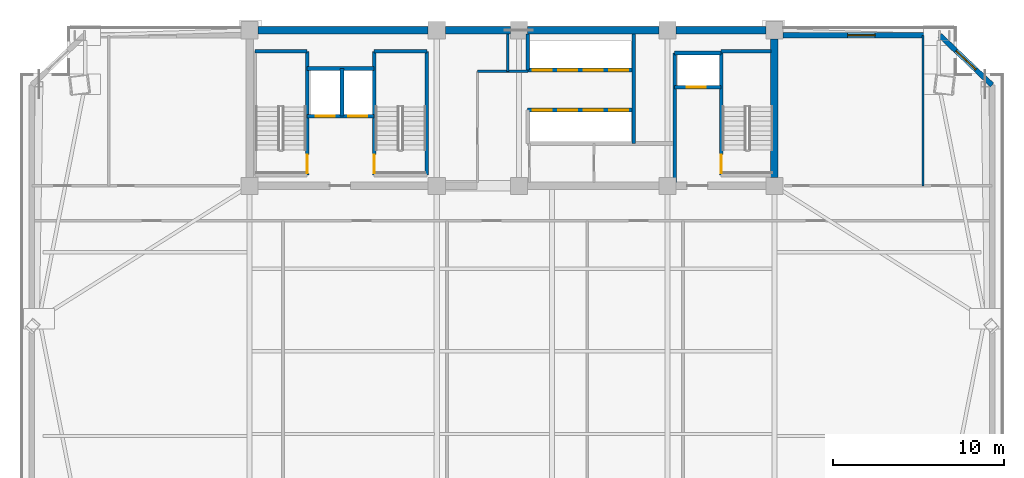
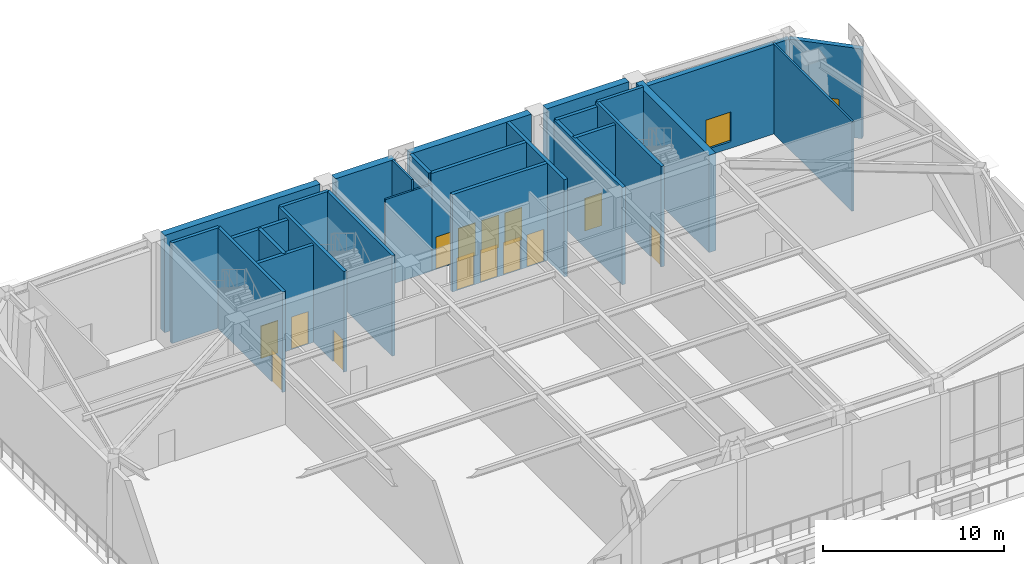
# One storey, part 10 of 16: 27 walls, 14 doors, 2 windows, 16 openings.
"""IFC4 building model written with IfcOpenShell, lengths in metres."""

from ifc_helpers import new_model, si_unit, direction, frame, frame_2d, origin, place, context, subcontext, project, spatial, rectangle, extrude, source, transform, mapped, material, layer, layer_set, type_object, element, fill, save


model = new_model("IFC4")

# Units and contexts
model_context = context("Model", 3, precision=1e-05, world=origin(), true_north=direction((0.0, 1.0)))
body_context = subcontext(model_context, "Body", "Model", "MODEL_VIEW")
ifc_project = project(units=[si_unit("LENGTHUNIT", "METRE"), si_unit("AREAUNIT", "SQUARE_METRE"), si_unit("VOLUMEUNIT", "CUBIC_METRE"), si_unit("PLANEANGLEUNIT", "RADIAN"), si_unit("MASSUNIT", "GRAM", prefix="KILO")], contexts=[model_context])

# Site, building, storey
site_placement = place(None, origin())
site = spatial("IfcSite", under=ifc_project, at=site_placement, CompositionType="ELEMENT")
building_placement = place(site_placement, origin())
building = spatial("IfcBuilding", under=site, at=building_placement, Name="Giltprow Tower", CompositionType="ELEMENT")
storey_placement = place(building_placement, frame((0.0, 0.0, 220.199951171875)))
storey = spatial("IfcBuildingStorey", under=building, at=storey_placement, Name="L56", CompositionType="ELEMENT", Elevation=220.199951171875)

# Wall, opening, window
ifc_material_1 = material(Name="Precast concrete C40", Category="concrete")
ifc_layer_1 = layer(ifc_material_1, 0.300048828125, Name="Precast concrete C40")
ifc_layer_set_1 = layer_set([ifc_layer_1], Name="Precast concrete C40")
wall_type_1 = type_object("IfcWallType", Name="EW-NOTCH-CHAMFER-300", PredefinedType="SOLIDWALL", material=ifc_layer_set_1)
wall_1_placement = place(storey_placement, frame((63.281982421875, 43.345947265625, 0.0), z_axis=(0.0, 0.0, 1.0), x_axis=(-0.724668126372, 0.689098038468, 0.0)))
wall_1 = element("IfcWall", 1, at=wall_1_placement, inside=storey, type_object=wall_type_1, Name="L56 Corner Notch Wall NE", PredefinedType="SOLIDWALL", context=body_context, shape_type="SweptSolid", body=[
    extrude(rectangle(XDim=4.21435546875, YDim=0.300048828125, at=frame_2d((2.107177734375, 0.0))), origin(), (0.0, 0.0, 1.0), 6.06494140625),
])
opening_1_placement = place(wall_1_placement, frame((1.306884765625, 0.0, 0.449951171875)))
opening_1 = element("IfcOpeningElement", 2, at=opening_1_placement, cuts=wall_1, Name="Opening WN17", PredefinedType="OPENING", context=body_context, shape_type="SweptSolid", body=[
    extrude(rectangle(XDim=1.60009765625, YDim=2.0, at=frame_2d((0.800048828125, 1.0))), frame((0.0, 0.159912109375, 0.0), z_axis=(0.0, -1.0, 0.0), x_axis=(1.0, 0.0, 0.0)), (0.0, 0.0, 1.0), 0.320068359375),
])
ifc_material_2 = material(Name="Insulated glass", Category="glass")
window_type = type_object("IfcWindowType", Name="WN-COR-1600x2000", PartitioningType="SINGLE_PANEL", PredefinedType="WINDOW", material=ifc_material_2)
shared_shape_1 = source(origin(), body_context, "Body", "SweptSolid", [
    extrude(rectangle(XDim=1.60009765625, YDim=2.0, at=frame_2d((0.800048828125, 1.0))), frame((0.0, 0.030029296875, 0.0), z_axis=(0.0, -1.0, 0.0), x_axis=(1.0, 0.0, 0.0)), (0.0, 0.0, 1.0), 0.06005859375),
])
window_1_placement = place(opening_1_placement, origin())
window_1 = element("IfcWindow", 3, at=window_1_placement, inside=storey, type_object=window_type, Name="L56 Corner Notch Window NE", OverallHeight=2.0, OverallWidth=1.60009765625, PartitioningType="SINGLE_PANEL", PredefinedType="WINDOW", context=body_context, shape_type="MappedRepresentation", body=[
    mapped(shared_shape_1, transform((0.0, 0.0, 0.0), x_axis=(1.0, 0.0, 0.0), y_axis=(0.0, 1.0, 0.0), z_axis=(0.0, 0.0, 1.0), scale=1.0)),
])
fill(opening_1, window_1)

ifc_layer_2 = layer(ifc_material_1, 0.320068359375, Name="Precast concrete C40")
ifc_layer_set_2 = layer_set([ifc_layer_2], Name="Precast concrete C40")
wall_type_2 = type_object("IfcWallType", Name="EW-TOW-STONE-320", PredefinedType="SOLIDWALL", material=ifc_layer_set_2)
wall_2_placement = place(storey_placement, frame((51.050048828125, 46.25, 0.0), z_axis=(0.0, 0.0, 1.0), x_axis=(1.0, 0.0, 0.0)))
wall_2 = element("IfcWall", 4, at=wall_2_placement, inside=storey, type_object=wall_type_2, Name="L56 North-East Wing Wall", PredefinedType="SOLIDWALL", context=body_context, shape_type="SweptSolid", body=[
    extrude(rectangle(XDim=9.177978515625, YDim=0.320068359375, at=frame_2d((4.5888671875, 0.0))), origin(), (0.0, 0.0, 1.0), 6.06494140625),
])
opening_2_placement = place(wall_2_placement, frame((3.7890625, 0.0, 0.449951171875)))
opening_2 = element("IfcOpeningElement", 5, at=opening_2_placement, cuts=wall_2, Name="Opening WN17", PredefinedType="OPENING", context=body_context, shape_type="SweptSolid", body=[
    extrude(rectangle(XDim=1.60009765625, YDim=2.0, at=frame_2d((0.800048828125, 1.0))), frame((0.0, 0.169921875, 0.0), z_axis=(0.0, -1.0, 0.0), x_axis=(1.0, 0.0, 0.0)), (0.0, 0.0, 1.0), 0.340087890625),
])
window_2_placement = place(opening_2_placement, origin())
window_2 = element("IfcWindow", 6, at=window_2_placement, inside=storey, type_object=window_type, Name="L56 North-East Window", OverallHeight=2.0, OverallWidth=1.60009765625, PartitioningType="SINGLE_PANEL", PredefinedType="WINDOW", context=body_context, shape_type="MappedRepresentation", body=[
    mapped(shared_shape_1, transform((0.0, 0.0, 0.0), x_axis=(1.0, 0.0, 0.0), y_axis=(0.0, 1.0, 0.0), z_axis=(0.0, 0.0, 1.0), scale=1.0)),
])
fill(opening_2, window_2)

# Wall, openings, doors
ifc_material_3 = material(Name="Concrete C40", Category="concrete")
ifc_layer_3 = layer(ifc_material_3, 0.219970703125, Name="Concrete C40")
ifc_layer_set_3 = layer_set([ifc_layer_3], Name="Concrete C40")
wall_type_3 = type_object("IfcWallType", Name="IW-SHAFT-220", PredefinedType="SOLIDWALL", material=ifc_layer_set_3)
wall_3_placement = place(storey_placement, frame((23.219970703125, 41.52001953125, 0.0), z_axis=(0.0, 0.0, 1.0), x_axis=(1.0, 0.0, 0.0)))
wall_3 = element("IfcWall", 7, at=wall_3_placement, inside=storey, type_object=wall_type_3, Name="L56 FFL1 and Service Lift Front Wall", PredefinedType="SOLIDWALL", context=body_context, shape_type="SweptSolid", body=[
    extrude(rectangle(XDim=3.919921875, YDim=0.219970703125, at=frame_2d((1.9599609375, 0.0))), origin(), (0.0, 0.0, 1.0), 6.5849609375),
])
opening_3_placement = place(wall_3_placement, frame((0.5, 0.0, 0.0)))
opening_3 = element("IfcOpeningElement", 8, at=opening_3_placement, cuts=wall_3, Name="Opening LD-11", PredefinedType="OPENING", context=body_context, shape_type="SweptSolid", body=[
    extrude(rectangle(XDim=1.10009765625, YDim=2.199951171875, at=frame_2d((0.550048828125, 1.10009765625))), frame((0.0, 0.119873046875, 0.0), z_axis=(0.0, -1.0, 0.0), x_axis=(1.0, 0.0, 0.0)), (0.0, 0.0, 1.0), 0.239990234375),
])
opening_4_placement = place(wall_3_placement, frame((2.39990234375, 0.0, 0.0)))
opening_4 = element("IfcOpeningElement", 9, at=opening_4_placement, cuts=wall_3, Name="Opening LD-11", PredefinedType="OPENING", context=body_context, shape_type="SweptSolid", body=[
    extrude(rectangle(XDim=1.10009765625, YDim=2.199951171875, at=frame_2d((0.550048828125, 1.10009765625))), frame((0.0, 0.119873046875, 0.0), z_axis=(0.0, -1.0, 0.0), x_axis=(1.0, 0.0, 0.0)), (0.0, 0.0, 1.0), 0.239990234375),
])
ifc_material_4 = material(Name="Stainless steel", Category="steel")
door_type_1 = type_object("IfcDoorType", Name="DR-LIFT-LD1100", OperationType="SLIDING_TO_LEFT", PredefinedType="DOOR", material=ifc_material_4)
shared_shape_2 = source(origin(), body_context, "Body", "SweptSolid", [
    extrude(rectangle(XDim=1.10009765625, YDim=2.199951171875, at=frame_2d((0.550048828125, 1.10009765625))), frame((0.0, 0.02490234375, 0.0), z_axis=(0.0, -1.0, 0.0), x_axis=(1.0, 0.0, 0.0)), (0.0, 0.0, 1.0), 0.050048828125),
])
door_1_placement = place(opening_3_placement, origin())
door_1 = element("IfcDoor", 10, at=door_1_placement, inside=storey, type_object=door_type_1, Name="L56 FFL1 Landing Door", OperationType="SLIDING_TO_LEFT", OverallHeight=2.199951171875, OverallWidth=1.10009765625, PredefinedType="DOOR", context=body_context, shape_type="MappedRepresentation", body=[
    mapped(shared_shape_2, transform((0.0, 0.0, 0.0), x_axis=(1.0, 0.0, 0.0), y_axis=(0.0, 1.0, 0.0), z_axis=(0.0, 0.0, 1.0), scale=1.0)),
])
fill(opening_3, door_1)
door_2_placement = place(opening_4_placement, origin())
door_2 = element("IfcDoor", 11, at=door_2_placement, inside=storey, type_object=door_type_1, Name="L56 SVL1 Landing Door", OperationType="SLIDING_TO_LEFT", OverallHeight=2.199951171875, OverallWidth=1.10009765625, PredefinedType="DOOR", context=body_context, shape_type="MappedRepresentation", body=[
    mapped(shared_shape_2, transform((0.0, 0.0, 0.0), x_axis=(1.0, 0.0, 0.0), y_axis=(0.0, 1.0, 0.0), z_axis=(0.0, 0.0, 1.0), scale=1.0)),
])
fill(opening_4, door_2)

# Walls
wall_4_placement = place(storey_placement, frame((25.260009765625, 41.52001953125, 0.0), z_axis=(0.0, 0.0, 1.0), x_axis=(0.0, 1.0, 0.0)))
element("IfcWall", 12, at=wall_4_placement, inside=storey, type_object=wall_type_3, Name="L56 FFL1-SVL1 Shaft Divider", PredefinedType="SOLIDWALL", context=body_context, shape_type="SweptSolid", body=[
    extrude(rectangle(XDim=2.800048828125, YDim=0.219970703125, at=frame_2d((1.39990234375, 0.0))), origin(), (0.0, 0.0, 1.0), 6.5849609375),
])
wall_5_placement = place(storey_placement, frame((23.219970703125, 44.320068359375, 0.0), z_axis=(0.0, 0.0, 1.0), x_axis=(1.0, 0.0, 0.0)))
element("IfcWall", 13, at=wall_5_placement, inside=storey, type_object=wall_type_3, Name="L56 FFL1-SVL1 Back Shaft Wall", PredefinedType="SOLIDWALL", context=body_context, shape_type="SweptSolid", body=[
    extrude(rectangle(XDim=3.919921875, YDim=0.219970703125, at=frame_2d((1.9599609375, 0.0))), origin(), (0.0, 0.0, 1.0), 6.5849609375),
])

# Wall, opening, door
wall_6_placement = place(storey_placement, frame((44.719970703125, 43.219970703125, 0.0), z_axis=(0.0, 0.0, 1.0), x_axis=(1.0, 0.0, 0.0)))
wall_6 = element("IfcWall", 14, at=wall_6_placement, inside=storey, type_object=wall_type_3, Name="L56 FFL2 Front Shaft Wall", PredefinedType="SOLIDWALL", context=body_context, shape_type="SweptSolid", body=[
    extrude(rectangle(XDim=2.719970703125, YDim=0.219970703125, at=frame_2d((1.35986328125, 0.0))), origin(), (0.0, 0.0, 1.0), 6.5849609375),
])
opening_5_placement = place(wall_6_placement, frame((0.699951171875, 0.0, 0.0)))
opening_5 = element("IfcOpeningElement", 15, at=opening_5_placement, cuts=wall_6, Name="Opening LD-11", PredefinedType="OPENING", context=body_context, shape_type="SweptSolid", body=[
    extrude(rectangle(XDim=1.10009765625, YDim=2.199951171875, at=frame_2d((0.550048828125, 1.10009765625))), frame((0.0, 0.119873046875, 0.0), z_axis=(0.0, -1.0, 0.0), x_axis=(1.0, 0.0, 0.0)), (0.0, 0.0, 1.0), 0.239990234375),
])
door_3_placement = place(opening_5_placement, origin())
door_3 = element("IfcDoor", 16, at=door_3_placement, inside=storey, type_object=door_type_1, Name="L56 FFL2 Landing Door", OperationType="SLIDING_TO_LEFT", OverallHeight=2.199951171875, OverallWidth=1.10009765625, PredefinedType="DOOR", context=body_context, shape_type="MappedRepresentation", body=[
    mapped(shared_shape_2, transform((0.0, 0.0, 0.0), x_axis=(1.0, 0.0, 0.0), y_axis=(0.0, 1.0, 0.0), z_axis=(0.0, 0.0, 1.0), scale=1.0)),
])
fill(opening_5, door_3)

# Walls
wall_7_placement = place(storey_placement, frame((44.719970703125, 45.219970703125, 0.0), z_axis=(0.0, 0.0, 1.0), x_axis=(1.0, 0.0, 0.0)))
element("IfcWall", 17, at=wall_7_placement, inside=storey, type_object=wall_type_3, Name="L56 FFL2 Back Shaft Wall", PredefinedType="SOLIDWALL", context=body_context, shape_type="SweptSolid", body=[
    extrude(rectangle(XDim=2.719970703125, YDim=0.219970703125, at=frame_2d((1.35986328125, 0.0))), origin(), (0.0, 0.0, 1.0), 6.5849609375),
])
wall_8_placement = place(storey_placement, frame((44.719970703125, 37.655029296875, 0.0), z_axis=(0.0, 0.0, 1.0), x_axis=(0.0, 1.0, 0.0)))
element("IfcWall", 18, at=wall_8_placement, inside=storey, type_object=wall_type_3, Name="L56 East Firefighting Lobby West Wall", PredefinedType="SOLIDWALL", context=body_context, shape_type="SweptSolid", body=[
    extrude(rectangle(XDim=7.56494140625, YDim=0.219970703125, at=frame_2d((3.782470703125, 0.0))), origin(), (0.0, 0.0, 1.0), 6.5849609375),
])

# Wall, openings, doors
wall_9_placement = place(storey_placement, frame((36.1201171875, 44.219970703125, 0.0), z_axis=(0.0, 0.0, 1.0), x_axis=(1.0, 0.0, 0.0)))
wall_9 = element("IfcWall", 19, at=wall_9_placement, inside=storey, type_object=wall_type_3, Name="L56 Mid-Rise Lift Shaft Front Wall N", PredefinedType="SOLIDWALL", context=body_context, shape_type="SweptSolid", body=[
    extrude(rectangle(XDim=6.199951171875, YDim=0.219970703125, at=frame_2d((3.10009765625, 0.0))), origin(), (0.0, 0.0, 1.0), 6.5849609375),
])
opening_6_placement = place(wall_9_placement, frame((0.300048828125, 0.0, 0.0)))
opening_6 = element("IfcOpeningElement", 20, at=opening_6_placement, cuts=wall_9, Name="Opening LD-11", PredefinedType="OPENING", context=body_context, shape_type="SweptSolid", body=[
    extrude(rectangle(XDim=1.10009765625, YDim=2.199951171875, at=frame_2d((0.550048828125, 1.10009765625))), frame((0.0, 0.119873046875, 0.0), z_axis=(0.0, -1.0, 0.0), x_axis=(1.0, 0.0, 0.0)), (0.0, 0.0, 1.0), 0.239990234375),
])
opening_7_placement = place(wall_9_placement, frame((1.7900390625, 0.0, 0.0)))
opening_7 = element("IfcOpeningElement", 21, at=opening_7_placement, cuts=wall_9, Name="Opening LD-11", PredefinedType="OPENING", context=body_context, shape_type="SweptSolid", body=[
    extrude(rectangle(XDim=1.10009765625, YDim=2.199951171875, at=frame_2d((0.550048828125, 1.10009765625))), frame((0.0, 0.119873046875, 0.0), z_axis=(0.0, -1.0, 0.0), x_axis=(1.0, 0.0, 0.0)), (0.0, 0.0, 1.0), 0.239990234375),
])
opening_8_placement = place(wall_9_placement, frame((3.280029296875, 0.0, 0.0)))
opening_8 = element("IfcOpeningElement", 22, at=opening_8_placement, cuts=wall_9, Name="Opening LD-11", PredefinedType="OPENING", context=body_context, shape_type="SweptSolid", body=[
    extrude(rectangle(XDim=1.10009765625, YDim=2.199951171875, at=frame_2d((0.550048828125, 1.10009765625))), frame((0.0, 0.119873046875, 0.0), z_axis=(0.0, -1.0, 0.0), x_axis=(1.0, 0.0, 0.0)), (0.0, 0.0, 1.0), 0.239990234375),
])
opening_9_placement = place(wall_9_placement, frame((4.77001953125, 0.0, 0.0)))
opening_9 = element("IfcOpeningElement", 23, at=opening_9_placement, cuts=wall_9, Name="Opening LD-11", PredefinedType="OPENING", context=body_context, shape_type="SweptSolid", body=[
    extrude(rectangle(XDim=1.10009765625, YDim=2.199951171875, at=frame_2d((0.550048828125, 1.10009765625))), frame((0.0, 0.119873046875, 0.0), z_axis=(0.0, -1.0, 0.0), x_axis=(1.0, 0.0, 0.0)), (0.0, 0.0, 1.0), 0.239990234375),
])
door_4_placement = place(opening_6_placement, origin())
door_4 = element("IfcDoor", 24, at=door_4_placement, inside=storey, type_object=door_type_1, Name="L56 PL-H1 Landing Door", OperationType="SLIDING_TO_LEFT", OverallHeight=2.199951171875, OverallWidth=1.10009765625, PredefinedType="DOOR", context=body_context, shape_type="MappedRepresentation", body=[
    mapped(shared_shape_2, transform((0.0, 0.0, 0.0), x_axis=(1.0, 0.0, 0.0), y_axis=(0.0, 1.0, 0.0), z_axis=(0.0, 0.0, 1.0), scale=1.0)),
])
fill(opening_6, door_4)
door_5_placement = place(opening_7_placement, origin())
door_5 = element("IfcDoor", 25, at=door_5_placement, inside=storey, type_object=door_type_1, Name="L56 PL-H2 Landing Door", OperationType="SLIDING_TO_LEFT", OverallHeight=2.199951171875, OverallWidth=1.10009765625, PredefinedType="DOOR", context=body_context, shape_type="MappedRepresentation", body=[
    mapped(shared_shape_2, transform((0.0, 0.0, 0.0), x_axis=(1.0, 0.0, 0.0), y_axis=(0.0, 1.0, 0.0), z_axis=(0.0, 0.0, 1.0), scale=1.0)),
])
fill(opening_7, door_5)
door_6_placement = place(opening_8_placement, origin())
door_6 = element("IfcDoor", 26, at=door_6_placement, inside=storey, type_object=door_type_1, Name="L56 PL-M1 Landing Door", OperationType="SLIDING_TO_LEFT", OverallHeight=2.199951171875, OverallWidth=1.10009765625, PredefinedType="DOOR", context=body_context, shape_type="MappedRepresentation", body=[
    mapped(shared_shape_2, transform((0.0, 0.0, 0.0), x_axis=(1.0, 0.0, 0.0), y_axis=(0.0, 1.0, 0.0), z_axis=(0.0, 0.0, 1.0), scale=1.0)),
])
fill(opening_8, door_6)
door_7_placement = place(opening_9_placement, origin())
door_7 = element("IfcDoor", 27, at=door_7_placement, inside=storey, type_object=door_type_1, Name="L56 PL-M2 Landing Door", OperationType="SLIDING_TO_LEFT", OverallHeight=2.199951171875, OverallWidth=1.10009765625, PredefinedType="DOOR", context=body_context, shape_type="MappedRepresentation", body=[
    mapped(shared_shape_2, transform((0.0, 0.0, 0.0), x_axis=(1.0, 0.0, 0.0), y_axis=(0.0, 1.0, 0.0), z_axis=(0.0, 0.0, 1.0), scale=1.0)),
])
fill(opening_9, door_7)

wall_10_placement = place(storey_placement, frame((36.1201171875, 41.8798828125, 0.0), z_axis=(0.0, 0.0, 1.0), x_axis=(1.0, 0.0, 0.0)))
wall_10 = element("IfcWall", 28, at=wall_10_placement, inside=storey, type_object=wall_type_3, Name="L56 Mid-Rise Lift Shaft Front Wall S", PredefinedType="SOLIDWALL", context=body_context, shape_type="SweptSolid", body=[
    extrude(rectangle(XDim=6.199951171875, YDim=0.219970703125, at=frame_2d((3.10009765625, 0.0))), origin(), (0.0, 0.0, 1.0), 6.5849609375),
])
opening_10_placement = place(wall_10_placement, frame((0.300048828125, 0.0, 0.0)))
opening_10 = element("IfcOpeningElement", 29, at=opening_10_placement, cuts=wall_10, Name="Opening LD-11", PredefinedType="OPENING", context=body_context, shape_type="SweptSolid", body=[
    extrude(rectangle(XDim=1.10009765625, YDim=2.199951171875, at=frame_2d((0.550048828125, 1.10009765625))), frame((0.0, 0.119873046875, 0.0), z_axis=(0.0, -1.0, 0.0), x_axis=(1.0, 0.0, 0.0)), (0.0, 0.0, 1.0), 0.239990234375),
])
opening_11_placement = place(wall_10_placement, frame((1.7900390625, 0.0, 0.0)))
opening_11 = element("IfcOpeningElement", 30, at=opening_11_placement, cuts=wall_10, Name="Opening LD-11", PredefinedType="OPENING", context=body_context, shape_type="SweptSolid", body=[
    extrude(rectangle(XDim=1.10009765625, YDim=2.199951171875, at=frame_2d((0.550048828125, 1.10009765625))), frame((0.0, 0.119873046875, 0.0), z_axis=(0.0, -1.0, 0.0), x_axis=(1.0, 0.0, 0.0)), (0.0, 0.0, 1.0), 0.239990234375),
])
opening_12_placement = place(wall_10_placement, frame((3.280029296875, 0.0, 0.0)))
opening_12 = element("IfcOpeningElement", 31, at=opening_12_placement, cuts=wall_10, Name="Opening LD-11", PredefinedType="OPENING", context=body_context, shape_type="SweptSolid", body=[
    extrude(rectangle(XDim=1.10009765625, YDim=2.199951171875, at=frame_2d((0.550048828125, 1.10009765625))), frame((0.0, 0.119873046875, 0.0), z_axis=(0.0, -1.0, 0.0), x_axis=(1.0, 0.0, 0.0)), (0.0, 0.0, 1.0), 0.239990234375),
])
opening_13_placement = place(wall_10_placement, frame((4.77001953125, 0.0, 0.0)))
opening_13 = element("IfcOpeningElement", 32, at=opening_13_placement, cuts=wall_10, Name="Opening LD-11", PredefinedType="OPENING", context=body_context, shape_type="SweptSolid", body=[
    extrude(rectangle(XDim=1.10009765625, YDim=2.199951171875, at=frame_2d((0.550048828125, 1.10009765625))), frame((0.0, 0.119873046875, 0.0), z_axis=(0.0, -1.0, 0.0), x_axis=(1.0, 0.0, 0.0)), (0.0, 0.0, 1.0), 0.239990234375),
])
door_8_placement = place(opening_10_placement, origin())
door_8 = element("IfcDoor", 33, at=door_8_placement, inside=storey, type_object=door_type_1, Name="L56 PL-H3 Landing Door", OperationType="SLIDING_TO_LEFT", OverallHeight=2.199951171875, OverallWidth=1.10009765625, PredefinedType="DOOR", context=body_context, shape_type="MappedRepresentation", body=[
    mapped(shared_shape_2, transform((0.0, 0.0, 0.0), x_axis=(1.0, 0.0, 0.0), y_axis=(0.0, 1.0, 0.0), z_axis=(0.0, 0.0, 1.0), scale=1.0)),
])
fill(opening_10, door_8)
door_9_placement = place(opening_11_placement, origin())
door_9 = element("IfcDoor", 34, at=door_9_placement, inside=storey, type_object=door_type_1, Name="L56 PL-H4 Landing Door", OperationType="SLIDING_TO_LEFT", OverallHeight=2.199951171875, OverallWidth=1.10009765625, PredefinedType="DOOR", context=body_context, shape_type="MappedRepresentation", body=[
    mapped(shared_shape_2, transform((0.0, 0.0, 0.0), x_axis=(1.0, 0.0, 0.0), y_axis=(0.0, 1.0, 0.0), z_axis=(0.0, 0.0, 1.0), scale=1.0)),
])
fill(opening_11, door_9)
door_10_placement = place(opening_12_placement, origin())
door_10 = element("IfcDoor", 35, at=door_10_placement, inside=storey, type_object=door_type_1, Name="L56 PL-M3 Landing Door", OperationType="SLIDING_TO_LEFT", OverallHeight=2.199951171875, OverallWidth=1.10009765625, PredefinedType="DOOR", context=body_context, shape_type="MappedRepresentation", body=[
    mapped(shared_shape_2, transform((0.0, 0.0, 0.0), x_axis=(1.0, 0.0, 0.0), y_axis=(0.0, 1.0, 0.0), z_axis=(0.0, 0.0, 1.0), scale=1.0)),
])
fill(opening_12, door_10)
door_11_placement = place(opening_13_placement, origin())
door_11 = element("IfcDoor", 36, at=door_11_placement, inside=storey, type_object=door_type_1, Name="L56 PL-M4 Landing Door", OperationType="SLIDING_TO_LEFT", OverallHeight=2.199951171875, OverallWidth=1.10009765625, PredefinedType="DOOR", context=body_context, shape_type="MappedRepresentation", body=[
    mapped(shared_shape_2, transform((0.0, 0.0, 0.0), x_axis=(1.0, 0.0, 0.0), y_axis=(0.0, 1.0, 0.0), z_axis=(0.0, 0.0, 1.0), scale=1.0)),
])
fill(opening_13, door_11)

# Walls
wall_11_placement = place(storey_placement, frame((42.320068359375, 39.919921875, 0.0), z_axis=(0.0, 0.0, 1.0), x_axis=(0.0, 1.0, 0.0)))
element("IfcWall", 37, at=wall_11_placement, inside=storey, type_object=wall_type_3, Name="L56 Mid-Rise Lift Bank East Closure", PredefinedType="SOLIDWALL", context=body_context, shape_type="SweptSolid", body=[
    extrude(rectangle(XDim=6.425048828125, YDim=0.219970703125, at=frame_2d((3.21240234375, 0.0))), origin(), (0.0, 0.0, 1.0), 6.5849609375),
])
wall_12_placement = place(storey_placement, frame((36.1201171875, 44.219970703125, 0.0), z_axis=(0.0, 0.0, 1.0), x_axis=(0.0, 1.0, 0.0)))
element("IfcWall", 38, at=wall_12_placement, inside=storey, type_object=wall_type_3, Name="L56 Mid-Rise North Lift West Closure", PredefinedType="SOLIDWALL", context=body_context, shape_type="SweptSolid", body=[
    extrude(rectangle(XDim=2.125, YDim=0.219970703125, at=frame_2d((1.0625, 0.0))), origin(), (0.0, 0.0, 1.0), 6.5849609375),
])

# Wall, opening, door
ifc_layer_4 = layer(ifc_material_3, 0.199951171875, Name="Concrete C40")
ifc_layer_set_4 = layer_set([ifc_layer_4], Name="Concrete C40")
wall_type_4 = type_object("IfcWallType", Name="IW-STAIR-200", PredefinedType="SOLIDWALL", material=ifc_layer_set_4)
wall_13_placement = place(storey_placement, frame((23.219970703125, 38.070068359375, 0.0), z_axis=(0.0, 0.0, 1.0), x_axis=(0.0, 1.0, 0.0)))
wall_13 = element("IfcWall", 39, at=wall_13_placement, inside=storey, type_object=wall_type_4, Name="L56 Stair ST-1 East Bearing Wall", PredefinedType="SOLIDWALL", context=body_context, shape_type="SweptSolid", body=[
    extrude(rectangle(XDim=7.25, YDim=0.199951171875, at=frame_2d((3.625, 0.0))), origin(), (0.0, 0.0, 1.0), 6.800048828125),
])
opening_14_placement = place(wall_13_placement, frame((0.110107421875, 0.0, 0.0)))
opening_14 = element("IfcOpeningElement", 40, at=opening_14_placement, cuts=wall_13, Name="Opening ID33", PredefinedType="OPENING", context=body_context, shape_type="SweptSolid", body=[
    extrude(rectangle(XDim=1.10009765625, YDim=2.14990234375, at=frame_2d((0.550048828125, 1.074951171875))), frame((0.0, 0.10986328125, 0.0), z_axis=(0.0, -1.0, 0.0), x_axis=(1.0, 0.0, 0.0)), (0.0, 0.0, 1.0), 0.219970703125),
])
ifc_material_5 = material(Name="Steel fire leaf", Category="steel")
door_type_2 = type_object("IfcDoorType", Name="DR-STAIR-1100", OperationType="SINGLE_SWING_LEFT", PredefinedType="DOOR", material=ifc_material_5)
shared_shape_3 = source(origin(), body_context, "Body", "SweptSolid", [
    extrude(rectangle(XDim=1.10009765625, YDim=2.14990234375, at=frame_2d((0.550048828125, 1.074951171875))), frame((0.0, 0.02490234375, 0.0), z_axis=(0.0, -1.0, 0.0), x_axis=(1.0, 0.0, 0.0)), (0.0, 0.0, 1.0), 0.050048828125),
])
door_12_placement = place(opening_14_placement, origin())
door_12 = element("IfcDoor", 41, at=door_12_placement, inside=storey, type_object=door_type_2, Name="L56 Stair ST-1 Fire Door", OperationType="SINGLE_SWING_RIGHT", OverallHeight=2.14990234375, OverallWidth=1.10009765625, PredefinedType="DOOR", context=body_context, shape_type="MappedRepresentation", body=[
    mapped(shared_shape_3, transform((0.0, 0.0, 0.0), x_axis=(1.0, 0.0, 0.0), y_axis=(0.0, 1.0, 0.0), z_axis=(0.0, 0.0, 1.0), scale=1.0)),
])
fill(opening_14, door_12)

# Wall
wall_14_placement = place(storey_placement, frame((20.169921875, 45.320068359375, 0.0), z_axis=(0.0, 0.0, 1.0), x_axis=(1.0, 0.0, 0.0)))
element("IfcWall", 42, at=wall_14_placement, inside=storey, type_object=wall_type_4, Name="L56 Stair ST-1 North Bearing Wall", PredefinedType="SOLIDWALL", context=body_context, shape_type="SweptSolid", body=[
    extrude(rectangle(XDim=3.050048828125, YDim=0.199951171875, at=frame_2d((1.52490234375, 0.0))), origin(), (0.0, 0.0, 1.0), 6.800048828125),
])

# Wall, opening, door
wall_15_placement = place(storey_placement, frame((27.139892578125, 38.070068359375, 0.0), z_axis=(0.0, 0.0, 1.0), x_axis=(0.0, 1.0, 0.0)))
wall_15 = element("IfcWall", 43, at=wall_15_placement, inside=storey, type_object=wall_type_4, Name="L56 Stair ST-2 West Bearing Wall", PredefinedType="SOLIDWALL", context=body_context, shape_type="SweptSolid", body=[
    extrude(rectangle(XDim=7.25, YDim=0.199951171875, at=frame_2d((3.625, 0.0))), origin(), (0.0, 0.0, 1.0), 6.800048828125),
])
opening_15_placement = place(wall_15_placement, frame((0.110107421875, 0.0, 0.0)))
opening_15 = element("IfcOpeningElement", 44, at=opening_15_placement, cuts=wall_15, Name="Opening ID33", PredefinedType="OPENING", context=body_context, shape_type="SweptSolid", body=[
    extrude(rectangle(XDim=1.10009765625, YDim=2.14990234375, at=frame_2d((0.550048828125, 1.074951171875))), frame((0.0, 0.10986328125, 0.0), z_axis=(0.0, -1.0, 0.0), x_axis=(1.0, 0.0, 0.0)), (0.0, 0.0, 1.0), 0.219970703125),
])
door_13_placement = place(opening_15_placement, origin())
door_13 = element("IfcDoor", 45, at=door_13_placement, inside=storey, type_object=door_type_2, Name="L56 Stair ST-2 Fire Door", OperationType="SINGLE_SWING_LEFT", OverallHeight=2.14990234375, OverallWidth=1.10009765625, PredefinedType="DOOR", context=body_context, shape_type="MappedRepresentation", body=[
    mapped(shared_shape_3, transform((0.0, 0.0, 0.0), x_axis=(1.0, 0.0, 0.0), y_axis=(0.0, 1.0, 0.0), z_axis=(0.0, 0.0, 1.0), scale=1.0)),
])
fill(opening_15, door_13)

# Walls
wall_16_placement = place(storey_placement, frame((30.219970703125, 38.070068359375, 0.0), z_axis=(0.0, 0.0, 1.0), x_axis=(0.0, 1.0, 0.0)))
element("IfcWall", 46, at=wall_16_placement, inside=storey, type_object=wall_type_4, Name="L56 Stair ST-2 East Bearing Wall", PredefinedType="SOLIDWALL", context=body_context, shape_type="SweptSolid", body=[
    extrude(rectangle(XDim=7.25, YDim=0.199951171875, at=frame_2d((3.625, 0.0))), origin(), (0.0, 0.0, 1.0), 6.800048828125),
])
wall_17_placement = place(storey_placement, frame((27.139892578125, 45.320068359375, 0.0), z_axis=(0.0, 0.0, 1.0), x_axis=(1.0, 0.0, 0.0)))
element("IfcWall", 47, at=wall_17_placement, inside=storey, type_object=wall_type_4, Name="L56 Stair ST-2 North Bearing Wall", PredefinedType="SOLIDWALL", context=body_context, shape_type="SweptSolid", body=[
    extrude(rectangle(XDim=3.080078125, YDim=0.199951171875, at=frame_2d((1.5400390625, 0.0))), origin(), (0.0, 0.0, 1.0), 6.800048828125),
])

# Wall, opening, door
wall_18_placement = place(storey_placement, frame((47.43994140625, 38.070068359375, 0.0), z_axis=(0.0, 0.0, 1.0), x_axis=(0.0, 1.0, 0.0)))
wall_18 = element("IfcWall", 48, at=wall_18_placement, inside=storey, type_object=wall_type_4, Name="L56 Stair ST-3 West Bearing Wall", PredefinedType="SOLIDWALL", context=body_context, shape_type="SweptSolid", body=[
    extrude(rectangle(XDim=7.25, YDim=0.199951171875, at=frame_2d((3.625, 0.0))), origin(), (0.0, 0.0, 1.0), 6.800048828125),
])
opening_16_placement = place(wall_18_placement, frame((0.110107421875, 0.0, 0.0)))
opening_16 = element("IfcOpeningElement", 49, at=opening_16_placement, cuts=wall_18, Name="Opening ID33", PredefinedType="OPENING", context=body_context, shape_type="SweptSolid", body=[
    extrude(rectangle(XDim=1.10009765625, YDim=2.14990234375, at=frame_2d((0.550048828125, 1.074951171875))), frame((0.0, 0.10986328125, 0.0), z_axis=(0.0, -1.0, 0.0), x_axis=(1.0, 0.0, 0.0)), (0.0, 0.0, 1.0), 0.219970703125),
])
door_14_placement = place(opening_16_placement, origin())
door_14 = element("IfcDoor", 50, at=door_14_placement, inside=storey, type_object=door_type_2, Name="L56 Stair ST-3 Fire Door", OperationType="SINGLE_SWING_RIGHT", OverallHeight=2.14990234375, OverallWidth=1.10009765625, PredefinedType="DOOR", context=body_context, shape_type="MappedRepresentation", body=[
    mapped(shared_shape_3, transform((0.0, 0.0, 0.0), x_axis=(1.0, 0.0, 0.0), y_axis=(0.0, 1.0, 0.0), z_axis=(0.0, 0.0, 1.0), scale=1.0)),
])
fill(opening_16, door_14)

# Walls
wall_19_placement = place(storey_placement, frame((47.43994140625, 45.320068359375, 0.0), z_axis=(0.0, 0.0, 1.0), x_axis=(1.0, 0.0, 0.0)))
element("IfcWall", 51, at=wall_19_placement, inside=storey, type_object=wall_type_4, Name="L56 Stair ST-3 North Bearing Wall", PredefinedType="SOLIDWALL", context=body_context, shape_type="SweptSolid", body=[
    extrude(rectangle(XDim=2.905029296875, YDim=0.199951171875, at=frame_2d((1.45263671875, 0.0))), origin(), (0.0, 0.0, 1.0), 6.800048828125),
])
ifc_material_6 = material(Name="Concrete C30", Category="concrete")
ifc_layer_5 = layer(ifc_material_6, 0.1298828125, Name="Concrete C30")
ifc_layer_set_5 = layer_set([ifc_layer_5], Name="Concrete C30")
wall_type_5 = type_object("IfcWallType", Name="IW-WET-130", PredefinedType="PARTITIONING", material=ifc_layer_set_5)
wall_20_placement = place(storey_placement, frame((34.949951171875, 44.14990234375, 0.0), z_axis=(0.0, 0.0, 1.0), x_axis=(0.0, 1.0, 0.0)))
element("IfcWall", 52, at=wall_20_placement, inside=storey, type_object=wall_type_5, Name="L56 Reclaimed North Pocket East Wall", PredefinedType="PARTITIONING", context=body_context, shape_type="SweptSolid", body=[
    extrude(rectangle(XDim=2.195068359375, YDim=0.1298828125, at=frame_2d((1.09765625, 0.0))), origin(), (0.0, 0.0, 1.0), 6.5849609375),
])
wall_21_placement = place(storey_placement, frame((33.179931640625, 44.14990234375, 0.0), z_axis=(0.0, 0.0, 1.0), x_axis=(1.0, 0.0, 0.0)))
element("IfcWall", 53, at=wall_21_placement, inside=storey, type_object=wall_type_5, Name="L56 Reclaimed North Pocket South Wall", PredefinedType="PARTITIONING", context=body_context, shape_type="SweptSolid", body=[
    extrude(rectangle(XDim=2.969970703125, YDim=0.1298828125, at=frame_2d((1.48486328125, 0.0))), origin(), (0.0, 0.0, 1.0), 5.8701171875),
])
wall_22_placement = place(storey_placement, frame((59.241943359375, 37.449951171875, 0.0), z_axis=(0.0, 0.0, 1.0), x_axis=(0.0, 1.0, 0.0)))
element("IfcWall", 54, at=wall_22_placement, inside=storey, type_object=wall_type_5, Name="L56 NE Wing Divider", PredefinedType="PARTITIONING", context=body_context, shape_type="SweptSolid", body=[
    extrude(rectangle(XDim=8.800048828125, YDim=0.1298828125, at=frame_2d((4.39990234375, 0.0))), origin(), (0.0, 0.0, 1.0), 6.070068359375),
])
ifc_material_7 = material(Name="Concrete C50", Category="concrete")
ifc_layer_6 = layer(ifc_material_7, 0.449951171875, Name="Concrete C50")
ifc_layer_set_6 = layer_set([ifc_layer_6], Name="Concrete C50")
wall_type_6 = type_object("IfcWallType", Name="SW-EXT-450-C50", PredefinedType="SHEAR", material=ifc_layer_set_6)
wall_23_placement = place(storey_placement, frame((20.35009765625, 46.550048828125, 0.0), z_axis=(0.0, 0.0, 1.0), x_axis=(1.0, 0.0, 0.0)))
element("IfcWall", 55, at=wall_23_placement, inside=storey, type_object=wall_type_6, Name="L56 North Rear Core Shear Wall 1", PredefinedType="SHEAR", context=body_context, shape_type="SweptSolid", body=[
    extrude(rectangle(XDim=9.949951171875, YDim=0.449951171875, at=frame_2d((4.97509765625, 0.0))), origin(), (0.0, 0.0, 1.0), 6.5849609375),
])
wall_24_placement = place(storey_placement, frame((31.300048828125, 46.550048828125, 0.0), z_axis=(0.0, 0.0, 1.0), x_axis=(1.0, 0.0, 0.0)))
element("IfcWall", 56, at=wall_24_placement, inside=storey, type_object=wall_type_6, Name="L56 North Rear Core Shear Wall 2", PredefinedType="SHEAR", context=body_context, shape_type="SweptSolid", body=[
    extrude(rectangle(XDim=3.800048828125, YDim=0.449951171875, at=frame_2d((1.89990234375, 0.0))), origin(), (0.0, 0.0, 1.0), 6.5849609375),
])
wall_25_placement = place(storey_placement, frame((36.10009765625, 46.550048828125, 0.0), z_axis=(0.0, 0.0, 1.0), x_axis=(1.0, 0.0, 0.0)))
element("IfcWall", 57, at=wall_25_placement, inside=storey, type_object=wall_type_6, Name="L56 North Rear Core Shear Wall 3", PredefinedType="SHEAR", context=body_context, shape_type="SweptSolid", body=[
    extrude(rectangle(XDim=7.699951171875, YDim=0.449951171875, at=frame_2d((3.85009765625, 0.0))), origin(), (0.0, 0.0, 1.0), 6.5849609375),
])
wall_26_placement = place(storey_placement, frame((44.800048828125, 46.550048828125, 0.0), z_axis=(0.0, 0.0, 1.0), x_axis=(1.0, 0.0, 0.0)))
element("IfcWall", 58, at=wall_26_placement, inside=storey, type_object=wall_type_6, Name="L56 North Rear Core Shear Wall 4", PredefinedType="SHEAR", context=body_context, shape_type="SweptSolid", body=[
    extrude(rectangle(XDim=5.25, YDim=0.449951171875, at=frame_2d((2.625, 0.0))), origin(), (0.0, 0.0, 1.0), 6.5849609375),
])
ifc_layer_7 = layer(ifc_material_7, 0.449951171875, Name="Concrete C50")
ifc_layer_set_7 = layer_set([ifc_layer_7], Name="Concrete C50")
wall_type_7 = type_object("IfcWallType", Name="SW-INT-450-C50", PredefinedType="SHEAR", material=ifc_layer_set_7)
wall_27_placement = place(storey_placement, frame((50.550048828125, 37.949951171875, 0.0), z_axis=(0.0, 0.0, 1.0), x_axis=(0.0, 1.0, 0.0)))
element("IfcWall", 59, at=wall_27_placement, inside=storey, type_object=wall_type_7, Name="L56 E Rear Core Shear Wall", PredefinedType="SHEAR", context=body_context, shape_type="SweptSolid", body=[
    extrude(rectangle(XDim=8.10009765625, YDim=0.449951171875, at=frame_2d((4.050048828125, 0.0))), origin(), (0.0, 0.0, 1.0), 6.5849609375),
])

save(model, "model.ifc")
